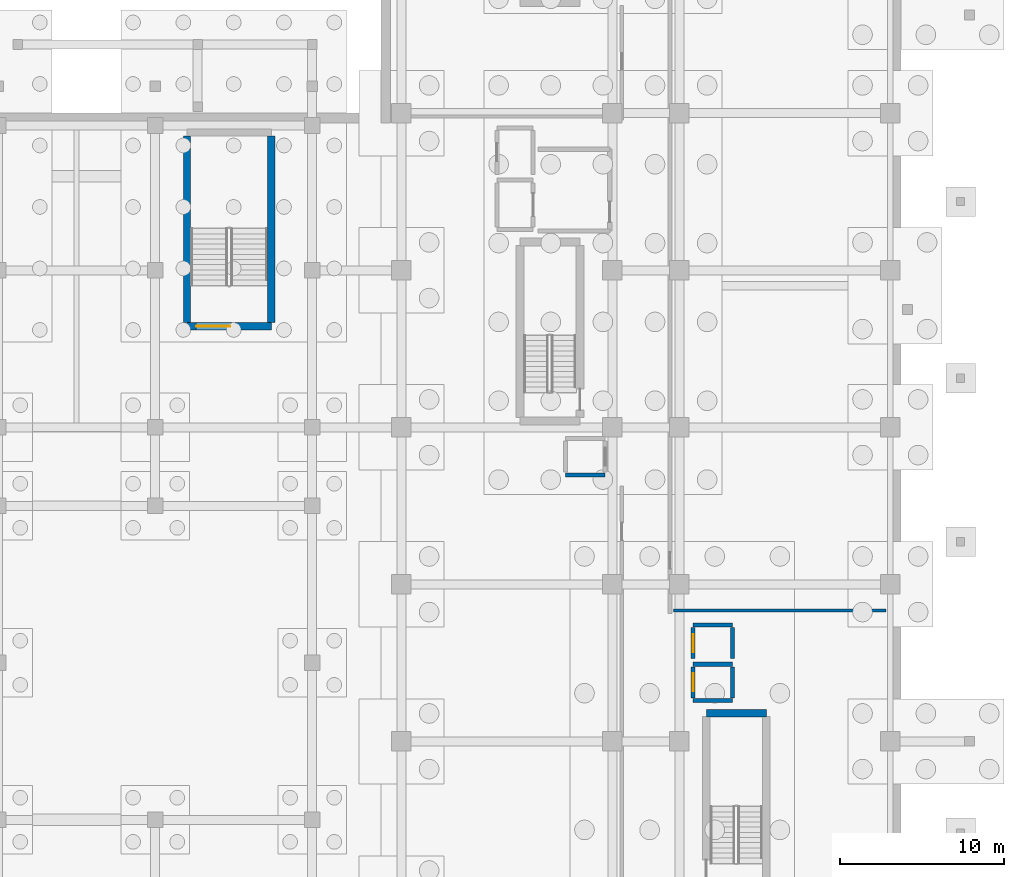
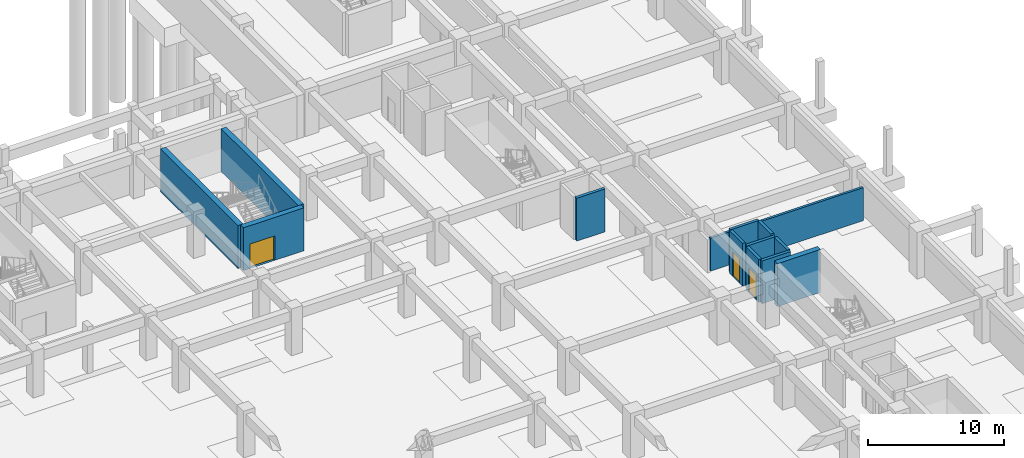
# One storey, part 21 of 39: 13 walls, 3 doors, 3 openings.
"""IFC4 building model written with IfcOpenShell, lengths in metres."""

import ifcopenshell
import ifcopenshell.guid

model = None  # the IFC model being written
_history = None  # IfcOwnerHistory: only IFC2X3 demands one
_inside = {}  # id of a spatial element -> (the spatial element, [elements in it])
_under = {}  # id of a project, library or spatial element -> (it, [spatial elements below it])
_declared = {}  # id of a project -> (the project, [libraries it declares])
_typed = {}  # id of a type object -> (the type object, [elements of that type])
_made_of = {}  # id of a material, layer set ... -> (it, [elements and type objects made of it])


def new_model(schema):
    """Start an empty IFC model of exactly this schema.

    Asked for "IFC4X3", IfcOpenShell would pick the latest addendum, in which some entities
    have other attributes; the version numbers below select the first issue.
    IFC2X3 requires an IfcOwnerHistory on every rooted entity: one is made here for all.
    """
    global model, _history
    if schema == "IFC4X3":
        model = ifcopenshell.file(schema_version=(4, 3, 0, 0))
    else:
        model = ifcopenshell.file(schema=schema)
    _inside.clear()
    _under.clear()
    _declared.clear()
    _typed.clear()
    _made_of.clear()
    _history = None
    if model.schema == "IFC2X3":
        org = make("IfcOrganization", Name="unknown")
        user = make(
            "IfcPersonAndOrganization",
            ThePerson=make("IfcPerson", FamilyName="unknown"),
            TheOrganization=org,
        )
        app = make(
            "IfcApplication",
            ApplicationDeveloper=org,
            Version="unknown",
            ApplicationFullName="unknown",
            ApplicationIdentifier="unknown",
        )
        _history = make(
            "IfcOwnerHistory",
            OwningUser=user,
            OwningApplication=app,
            ChangeAction="ADDED",
            CreationDate=0,
        )
    return model


def make(cls, **values):
    """One entity of the class cls with the attributes given. An attribute that is None is left unset."""
    return model.create_entity(
        cls, **{name: value for name, value in values.items() if value is not None}
    )


def rooted(cls, **values):
    """An entity with a GlobalId (a new one), such as an element, a storey or a relation."""
    return make(cls, GlobalId=ifcopenshell.guid.new(), OwnerHistory=_history, **values)


def si_unit(unit_type, name, prefix=None):
    """IfcSIUnit, for example si_unit("LENGTHUNIT", "METRE", prefix="MILLI")."""
    return make("IfcSIUnit", UnitType=unit_type, Prefix=prefix, Name=name)


def assignment(units):
    """IfcUnitAssignment: the units of a project."""
    return None if units is None else make("IfcUnitAssignment", Units=units)


def point(xyz):
    """IfcCartesianPoint."""
    return None if xyz is None else make("IfcCartesianPoint", Coordinates=xyz)


def direction(xyz):
    """IfcDirection."""
    return None if xyz is None else make("IfcDirection", DirectionRatios=xyz)


def frame(location, z_axis=None, x_axis=None):
    """IfcAxis2Placement3D, a coordinate frame: its origin and axes. An axis left out is left unset."""
    return make(
        "IfcAxis2Placement3D",
        Location=point(location),
        Axis=direction(z_axis),
        RefDirection=direction(x_axis),
    )


def frame_2d(location, x_axis=None):
    """IfcAxis2Placement2D, a coordinate frame in the plane: its origin and x axis."""
    return make(
        "IfcAxis2Placement2D", Location=point(location), RefDirection=direction(x_axis)
    )


def origin():
    """The frame at (0, 0, 0) with its axes left unset."""
    return frame((0.0, 0.0, 0.0))


def place(relative_to, where):
    """IfcLocalPlacement: puts the frame where relative to a parent placement (None: the world)."""
    return make(
        "IfcLocalPlacement", PlacementRelTo=relative_to, RelativePlacement=where
    )


def context(
    kind, dimensions, precision=None, world=None, true_north=None, identifier=None
):
    """IfcGeometricRepresentationContext, for example the 3D "Model" context."""
    return make(
        "IfcGeometricRepresentationContext",
        ContextIdentifier=identifier,
        ContextType=kind,
        CoordinateSpaceDimension=dimensions,
        Precision=precision,
        WorldCoordinateSystem=world,
        TrueNorth=true_north,
    )


def subcontext(parent, identifier, kind, view, scale=None):
    """IfcGeometricRepresentationSubContext, for example "Body" below "Model"."""
    return make(
        "IfcGeometricRepresentationSubContext",
        ContextIdentifier=identifier,
        ContextType=kind,
        ParentContext=parent,
        TargetScale=scale,
        TargetView=view,
    )


def project(units=None, contexts=None):
    """IfcProject with its units and contexts."""
    return rooted(
        "IfcProject",
        Name="project",
        RepresentationContexts=contexts,
        UnitsInContext=assignment(units),
    )


def spatial(cls, under=None, at=None, **own):
    """A site, building, storey or space (cls), placed at a placement, below another one or the project."""
    s = rooted(cls, ObjectPlacement=at, **own)
    if under is not None:
        _under.setdefault(under.id(), (under, []))[1].append(s)
    return s


def profile(cls, at=None, kind="AREA", **sizes):
    """A parametric profile (cls). Its sizes go by their IFC names, for example OverallWidth=200.0."""
    return make(cls, ProfileType=kind, Position=at, **sizes)


def rectangle(**sizes):
    """IfcRectangleProfileDef."""
    return profile("IfcRectangleProfileDef", **sizes)


def extrude(swept, where, along, depth):
    """IfcExtrudedAreaSolid: the profile swept, set in the frame where, extruded along a direction by depth."""
    return make(
        "IfcExtrudedAreaSolid",
        SweptArea=swept,
        Position=where,
        ExtrudedDirection=direction(along),
        Depth=depth,
    )


def shape(context_of_items, identifier, shape_type, items):
    """IfcShapeRepresentation: the items that make up one representation, for example the "Body"."""
    return make(
        "IfcShapeRepresentation",
        ContextOfItems=context_of_items,
        RepresentationIdentifier=identifier,
        RepresentationType=shape_type,
        Items=items,
    )


def material(Name=None, Category=None):
    """IfcMaterial."""
    return make("IfcMaterial", Name=Name, Category=Category)


def layer(
    of_material, thickness, ventilated=None, Name=None, Category=None, Priority=None
):
    """IfcMaterialLayer: one layer of a wall or slab, of a material (None: an air gap)."""
    return make(
        "IfcMaterialLayer",
        Material=of_material,
        LayerThickness=thickness,
        IsVentilated=ventilated,
        Name=Name,
        Category=Category,
        Priority=Priority,
    )


def layer_set(layers, Name=None):
    """IfcMaterialLayerSet."""
    return make("IfcMaterialLayerSet", MaterialLayers=layers, LayerSetName=Name)


def made_of(thing, what):
    """Note that an element or type object is made of a material, layer set ...; save() writes the relation."""
    if what is not None:
        _made_of.setdefault(what.id(), (what, []))[1].append(thing)
    return thing


def type_object(cls, material=None, **own):
    """A type object (cls), such as IfcWallType, which elements share."""
    return made_of(rooted(cls, **own), material)


def element(
    cls,
    number,
    at=None,
    inside=None,
    cuts=None,
    type_object=None,
    material=None,
    context=None,
    identifier="Body",
    shape_type=None,
    held_by="IfcProductDefinitionShape",
    body=None,
    shapes=None,
    **own,
):
    """One element of the class cls, such as IfcWall. Its Tag is "e" and its number.

    at: its placement. inside: the storey or other place that contains it. cuts: it is an
    opening in that element (IfcRelVoidsElement). A single representation is given by context,
    identifier, shape_type and body (its items); several are given by shapes. held_by: the class
    of the entity that holds the representations. save() writes the other relations.
    """
    e = rooted(cls, Tag="e%d" % number, ObjectPlacement=at, **own)
    if body is not None:
        shapes = [shape(context, identifier, shape_type, body)]
    if shapes is not None:
        e.Representation = make(held_by, Representations=shapes)
    if inside is not None:
        _inside.setdefault(inside.id(), (inside, []))[1].append(e)
    if cuts is not None:
        rooted(
            "IfcRelVoidsElement", RelatingBuildingElement=cuts, RelatedOpeningElement=e
        )
    if type_object is not None:
        _typed.setdefault(type_object.id(), (type_object, []))[1].append(e)
    return made_of(e, material)


def fill(opening, filler):
    """IfcRelFillsElement: the door or window that sits in an opening."""
    return rooted(
        "IfcRelFillsElement",
        RelatingOpeningElement=opening,
        RelatedBuildingElement=filler,
    )


def aggregate(whole, parts):
    """IfcRelAggregates: a whole, such as a stair, and the parts it consists of."""
    return rooted("IfcRelAggregates", RelatingObject=whole, RelatedObjects=parts)


def save(model, path):
    """Write the relations noted so far, then the file.

    IfcRelAggregates (storeys below a building ...), IfcRelContainedInSpatialStructure (elements
    in a storey), IfcRelDefinesByType, IfcRelAssociatesMaterial and IfcRelDeclares: one each for
    every whole, place, type object, material and project.
    """
    for whole, parts in _under.values():
        aggregate(whole, parts)
    for where, things in _inside.values():
        rooted(
            "IfcRelContainedInSpatialStructure",
            RelatedElements=things,
            RelatingStructure=where,
        )
    for kind, things in _typed.values():
        rooted("IfcRelDefinesByType", RelatedObjects=things, RelatingType=kind)
    for what, things in _made_of.values():
        rooted("IfcRelAssociatesMaterial", RelatedObjects=things, RelatingMaterial=what)
    for by, libraries in _declared.values():
        rooted("IfcRelDeclares", RelatingContext=by, RelatedDefinitions=libraries)
    model.write(path)


model = new_model("IFC4")

# Units and contexts
model_context = context("Model", 3, precision=1e-05, world=origin(), true_north=direction((0.0, 1.0)))
body_context = subcontext(model_context, "Body", "Model", "MODEL_VIEW")
ifc_project = project(units=[si_unit("LENGTHUNIT", "METRE"), si_unit("AREAUNIT", "SQUARE_METRE"), si_unit("VOLUMEUNIT", "CUBIC_METRE"), si_unit("PLANEANGLEUNIT", "RADIAN"), si_unit("MASSUNIT", "GRAM", prefix="KILO")], contexts=[model_context])

# Site, building, storey
site_placement = place(None, origin())
site = spatial("IfcSite", under=ifc_project, at=site_placement, CompositionType="ELEMENT")
building_placement = place(site_placement, origin())
building = spatial("IfcBuilding", under=site, at=building_placement, Name="Nakhvara Creek Congress Hotel", CompositionType="ELEMENT")
storey_placement = place(building_placement, frame((0.0, 0.0, -8.39990234375)))
storey = spatial("IfcBuildingStorey", under=building, at=storey_placement, Name="B2", CompositionType="ELEMENT", Elevation=-8.39990234375)

# Wall
ifc_material_1 = material(Name="Concrete C50/60", Category="concrete")
ifc_layer_1 = layer(ifc_material_1, 0.449951171875)
ifc_layer_set_1 = layer_set([ifc_layer_1], Name="Concrete C50/60")
wall_type_1 = type_object("IfcWallType", Name="W-CORE-450", PredefinedType="SHEAR", material=ifc_layer_set_1)
wall_1_placement = place(storey_placement, frame((168.10009765625, 59.320068359375, 0.0), z_axis=(0.0, 0.0, 1.0), x_axis=(1.0, 0.0, 0.0)))
element("IfcWall", 1, at=wall_1_placement, inside=storey, type_object=wall_type_1, Name="Core Shear Wall WS02-CWALL-B2-0622", PredefinedType="SHEAR", context=body_context, shape_type="SweptSolid", body=[
    extrude(rectangle(XDim=3.669921875, YDim=0.449951171875, at=frame_2d((1.8349609375, 0.0))), origin(), (0.0, 0.0, 1.0), 3.85986328125),
])

# Wall, opening, door
wall_2_placement = place(storey_placement, frame((136.35009765625, 82.97998046875, 0.0), z_axis=(0.0, 0.0, 1.0), x_axis=(1.0, 0.0, 0.0)))
wall_2 = element("IfcWall", 2, at=wall_2_placement, inside=storey, type_object=wall_type_1, Name="Core Shear Wall WS02-CWALL-B2-0911", PredefinedType="SHEAR", context=body_context, shape_type="SweptSolid", body=[
    extrude(rectangle(XDim=5.14990234375, YDim=0.449951171875, at=frame_2d((2.574951171875, 0.0))), origin(), (0.0, 0.0, 1.0), 3.85986328125),
])
opening_1_placement = place(wall_2_placement, frame((0.550048828125, 0.0, 0.0)))
opening_1 = element("IfcOpeningElement", 3, at=opening_1_placement, cuts=wall_2, Name="Opening FD19", PredefinedType="OPENING", context=body_context, shape_type="SweptSolid", body=[
    extrude(rectangle(XDim=2.10009765625, YDim=2.199951171875, at=frame_2d((1.050048828125, 1.10009765625))), frame((0.0, 0.23681640625, 0.0), z_axis=(0.0, -1.0, 0.0), x_axis=(1.0, 0.0, 0.0)), (0.0, 0.0, 1.0), 0.473876953125),
])
ifc_material_2 = material(Name="Galvanised steel acoustic fire door", Category="steel")
door_type_1 = type_object("IfcDoorType", Name="DT-STAIR-220", OperationType="DOUBLE_DOOR_SINGLE_SWING", PredefinedType="DOOR", material=ifc_material_2)
door_1_placement = place(opening_1_placement, frame((2.10009765625, 0.0, 0.0), z_axis=(0.0, 0.0, 1.0), x_axis=(-1.0, 0.0, 0.0)))
door_1 = element("IfcDoor", 4, at=door_1_placement, inside=storey, type_object=door_type_1, Name="Stair Exit Door ST10-B2", OperationType="DOUBLE_DOOR_SINGLE_SWING", OverallHeight=2.199951171875, OverallWidth=2.10009765625, PredefinedType="DOOR", context=body_context, shape_type="SweptSolid", body=[
    extrude(rectangle(XDim=2.10009765625, YDim=2.199951171875, at=frame_2d((1.050048828125, 1.10009765625))), frame((0.0, 0.02490234375, 0.0), z_axis=(0.0, -1.0, 0.0), x_axis=(1.0, 0.0, 0.0)), (0.0, 0.0, 1.0), 0.050048828125),
])
fill(opening_1, door_1)

# Walls
for number, where, z_axis, x_axis, name in (
    (5, (136.35009765625, 83.199951171875, 0.0), (0.0, 0.0, 1.0), (0.0, 1.0, 0.0), "Core Shear Wall WS02-CWALL-B2-0913"),
    (6, (141.5, 83.199951171875, 0.0), (0.0, 0.0, 1.0), (0.0, 1.0, 0.0), "Core Shear Wall WS02-CWALL-B2-0914"),
):
    element("IfcWall", number, at=place(storey_placement, frame(where, z_axis=z_axis, x_axis=x_axis)), inside=storey, type_object=wall_type_1, Name=name, PredefinedType="SHEAR", context=body_context, shape_type="SweptSolid", body=[
        extrude(rectangle(XDim=11.400146484375, YDim=0.449951171875, at=frame_2d((5.7001953125, 0.0))), origin(), (0.0, 0.0, 1.0), 3.85986328125),
    ])
ifc_material_3 = material(Name="Gypsum acoustic board on steel stud", Category="steel")
ifc_layer_2 = layer(ifc_material_3, 0.199951171875)
ifc_layer_set_2 = layer_set([ifc_layer_2], Name="Gypsum acoustic board on steel stud")
wall_type_2 = type_object("IfcWallType", Name="W-PART-200", PredefinedType="PARTITIONING", material=ifc_layer_set_2)
wall_3_placement = place(storey_placement, frame((166.10009765625, 65.60009765625, 0.0), z_axis=(0.0, 0.0, 1.0), x_axis=(1.0, 0.0, 0.0)))
element("IfcWall", 7, at=wall_3_placement, inside=storey, type_object=wall_type_2, Name="Interior Wall WP12-IW-B2-0037", PredefinedType="PARTITIONING", context=body_context, shape_type="SweptSolid", body=[
    extrude(rectangle(XDim=13.0, YDim=0.199951171875, at=frame_2d((6.5, 0.0))), origin(), (0.0, 0.0, 1.0), 2.971923828125),
])
ifc_material_4 = material(Name="Concrete C40/50", Category="concrete")
ifc_layer_3 = layer(ifc_material_4, 0.25)
ifc_layer_set_3 = layer_set([ifc_layer_3], Name="Concrete C40/50")
wall_type_3 = type_object("IfcWallType", Name="W-SHAFT-250", PredefinedType="SOLIDWALL", material=ifc_layer_set_3)
for number, where, z_axis, x_axis, name in (
    (8, (159.489990234375, 73.889892578125, 0.0), (0.0, 0.0, 1.0), (1.0, 0.0, 0.0), "Core Shear Wall WI02-CWALL-B2-0012"),
    (9, (167.2900390625, 60.090087890625, 0.0), (0.0, 0.0, 1.0), (1.0, 0.0, 0.0), "Core Shear Wall WI02-CWALL-B2-0625"),
    (10, (167.2900390625, 62.31005859375, 0.0), (0.0, 0.0, 1.0), (1.0, 0.0, 0.0), "Core Shear Wall WI02-CWALL-B2-0626"),
):
    element("IfcWall", number, at=place(storey_placement, frame(where, z_axis=z_axis, x_axis=x_axis)), inside=storey, type_object=wall_type_3, Name=name, PredefinedType="SOLIDWALL", context=body_context, shape_type="SweptSolid", body=[
        extrude(rectangle(XDim=2.419921875, YDim=0.25, at=frame_2d((1.2099609375, 0.0))), origin(), (0.0, 0.0, 1.0), 3.85986328125),
    ])

# Wall, opening, door
wall_4_placement = place(storey_placement, frame((167.2900390625, 60.25, 0.0), z_axis=(0.0, 0.0, 1.0), x_axis=(0.0, 1.0, 0.0)))
wall_4 = element("IfcWall", 11, at=wall_4_placement, inside=storey, type_object=wall_type_3, Name="Core Shear Wall WI02-CWALL-B2-0627", PredefinedType="SOLIDWALL", context=body_context, shape_type="SweptSolid", body=[
    extrude(rectangle(XDim=1.89990234375, YDim=0.25, at=frame_2d((0.949951171875, 0.0))), origin(), (0.0, 0.0, 1.0), 3.85986328125),
])
opening_2_placement = place(wall_4_placement, frame((0.39990234375, 0.0, 0.0)))
opening_2 = element("IfcOpeningElement", 12, at=opening_2_placement, cuts=wall_4, Name="Opening LD01", PredefinedType="OPENING", context=body_context, shape_type="SweptSolid", body=[
    extrude(rectangle(XDim=1.10009765625, YDim=2.199951171875, at=frame_2d((0.550048828125, 1.10009765625))), frame((0.0, 0.136962890625, 0.0), z_axis=(0.0, -1.0, 0.0), x_axis=(1.0, 0.0, 0.0)), (0.0, 0.0, 1.0), 0.27392578125),
])
ifc_material_5 = material(Name="Brushed stainless steel sliding landing door", Category="steel")
door_type_2 = type_object("IfcDoorType", Name="DT-LIFT-110", OperationType="DOUBLE_DOOR_SLIDING", PredefinedType="DOOR", material=ifc_material_5)
door_2_placement = place(opening_2_placement, origin())
door_2 = element("IfcDoor", 13, at=door_2_placement, inside=storey, type_object=door_type_2, Name="Landing Door PL05-B2", OperationType="SLIDING_TO_LEFT", OverallHeight=2.199951171875, OverallWidth=1.10009765625, PredefinedType="DOOR", context=body_context, shape_type="SweptSolid", body=[
    extrude(rectangle(XDim=1.10009765625, YDim=2.199951171875, at=frame_2d((0.550048828125, 1.10009765625))), frame((0.0, 0.02490234375, 0.0), z_axis=(0.0, -1.0, 0.0), x_axis=(1.0, 0.0, 0.0)), (0.0, 0.0, 1.0), 0.050048828125),
])
fill(opening_2, door_2)

# Walls
wall_5_placement = place(storey_placement, frame((169.7099609375, 60.25, 0.0), z_axis=(0.0, 0.0, 1.0), x_axis=(0.0, 1.0, 0.0)))
element("IfcWall", 14, at=wall_5_placement, inside=storey, type_object=wall_type_3, Name="Core Shear Wall WI02-CWALL-B2-0628", PredefinedType="SOLIDWALL", context=body_context, shape_type="SweptSolid", body=[
    extrude(rectangle(XDim=1.89990234375, YDim=0.25, at=frame_2d((0.949951171875, 0.0))), origin(), (0.0, 0.0, 1.0), 3.85986328125),
])
wall_6_placement = place(storey_placement, frame((167.2900390625, 64.7099609375, 0.0), z_axis=(0.0, 0.0, 1.0), x_axis=(1.0, 0.0, 0.0)))
element("IfcWall", 15, at=wall_6_placement, inside=storey, type_object=wall_type_3, Name="Core Shear Wall WI02-CWALL-B2-0629", PredefinedType="SOLIDWALL", context=body_context, shape_type="SweptSolid", body=[
    extrude(rectangle(XDim=2.419921875, YDim=0.25, at=frame_2d((1.2099609375, 0.0))), origin(), (0.0, 0.0, 1.0), 3.85986328125),
])

# Wall, opening, door
wall_7_placement = place(storey_placement, frame((167.2900390625, 62.64990234375, 0.0), z_axis=(0.0, 0.0, 1.0), x_axis=(0.0, 1.0, 0.0)))
wall_7 = element("IfcWall", 16, at=wall_7_placement, inside=storey, type_object=wall_type_3, Name="Core Shear Wall WI02-CWALL-B2-0630", PredefinedType="SOLIDWALL", context=body_context, shape_type="SweptSolid", body=[
    extrude(rectangle(XDim=1.900146484375, YDim=0.25, at=frame_2d((0.9501953125, 0.0))), origin(), (0.0, 0.0, 1.0), 3.85986328125),
])
opening_3_placement = place(wall_7_placement, frame((0.39990234375, 0.0, 0.0)))
opening_3 = element("IfcOpeningElement", 17, at=opening_3_placement, cuts=wall_7, Name="Opening LD01", PredefinedType="OPENING", context=body_context, shape_type="SweptSolid", body=[
    extrude(rectangle(XDim=1.10009765625, YDim=2.199951171875, at=frame_2d((0.550048828125, 1.10009765625))), frame((0.0, 0.136962890625, 0.0), z_axis=(0.0, -1.0, 0.0), x_axis=(1.0, 0.0, 0.0)), (0.0, 0.0, 1.0), 0.27392578125),
])
door_3_placement = place(opening_3_placement, origin())
door_3 = element("IfcDoor", 18, at=door_3_placement, inside=storey, type_object=door_type_2, Name="Landing Door PL06-B2", OperationType="SLIDING_TO_LEFT", OverallHeight=2.199951171875, OverallWidth=1.10009765625, PredefinedType="DOOR", context=body_context, shape_type="SweptSolid", body=[
    extrude(rectangle(XDim=1.10009765625, YDim=2.199951171875, at=frame_2d((0.550048828125, 1.10009765625))), frame((0.0, 0.02490234375, 0.0), z_axis=(0.0, -1.0, 0.0), x_axis=(1.0, 0.0, 0.0)), (0.0, 0.0, 1.0), 0.050048828125),
])
fill(opening_3, door_3)

# Wall
wall_8_placement = place(storey_placement, frame((169.7099609375, 62.64990234375, 0.0), z_axis=(0.0, 0.0, 1.0), x_axis=(0.0, 1.0, 0.0)))
element("IfcWall", 19, at=wall_8_placement, inside=storey, type_object=wall_type_3, Name="Core Shear Wall WI02-CWALL-B2-0631", PredefinedType="SOLIDWALL", context=body_context, shape_type="SweptSolid", body=[
    extrude(rectangle(XDim=1.900146484375, YDim=0.25, at=frame_2d((0.9501953125, 0.0))), origin(), (0.0, 0.0, 1.0), 3.85986328125),
])

save(model, "model.ifc")
